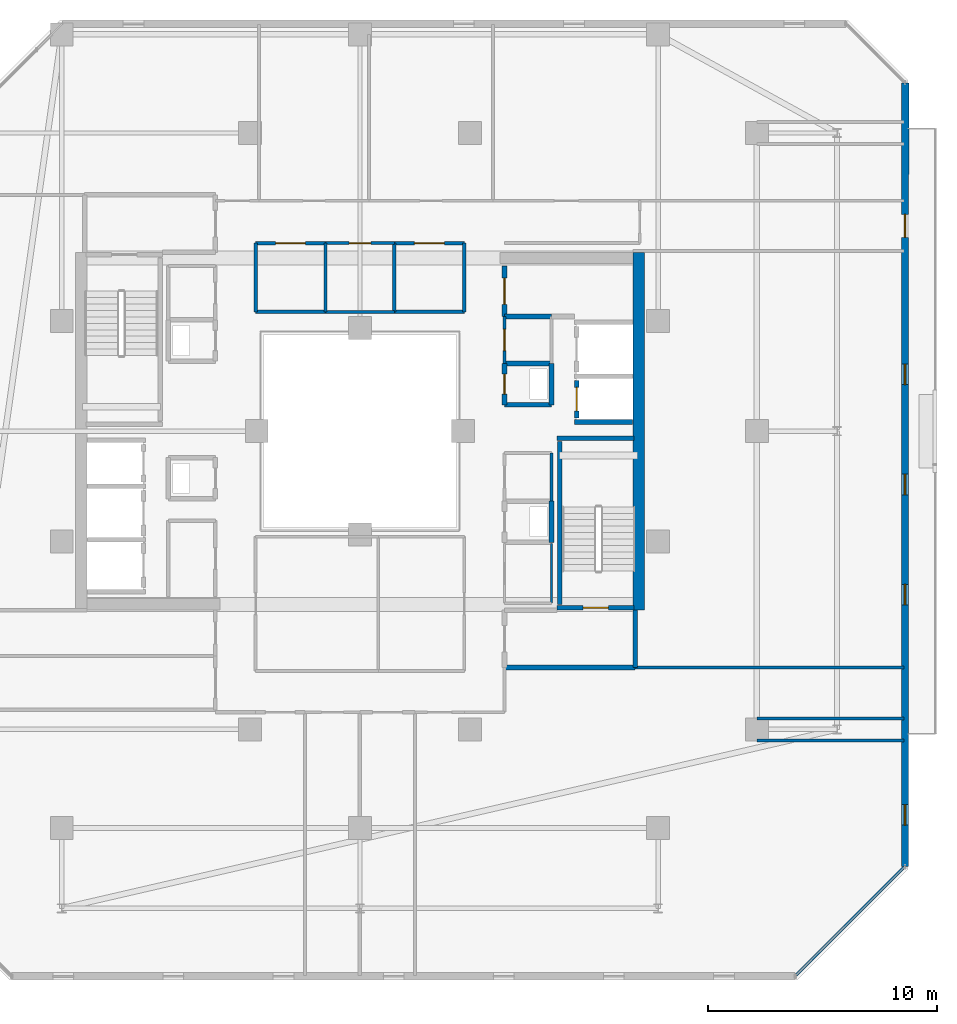
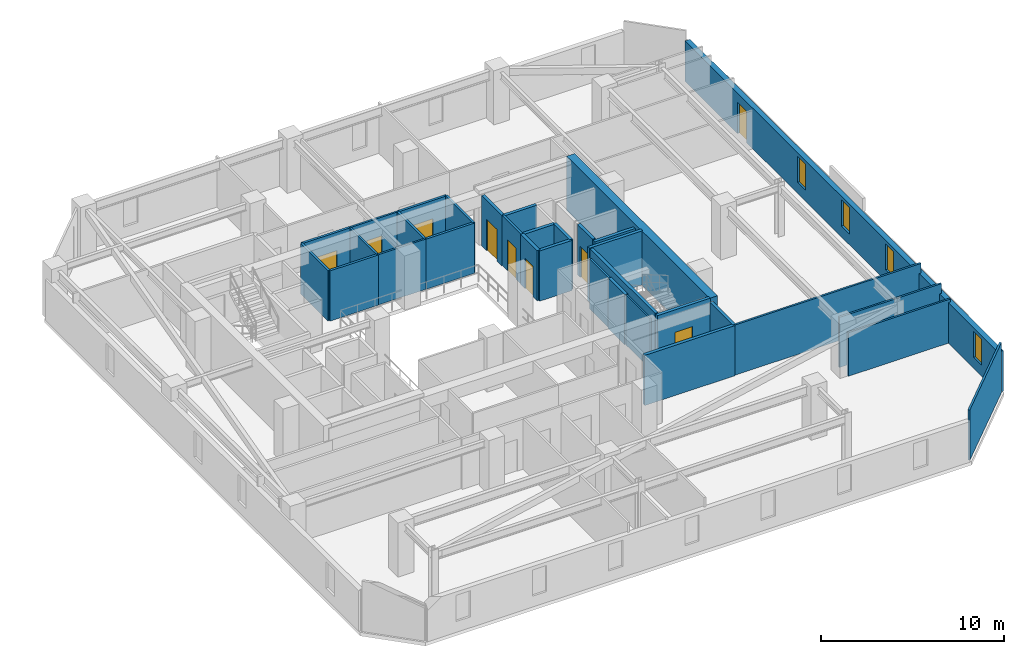
# One storey, part 24 of 32: 33 walls, 9 doors, 4 windows, 13 openings.
"""IFC4 building model written with IfcOpenShell, lengths in metres."""

from ifc_helpers import new_model, si_unit, direction, frame, frame_2d, origin, place, context, subcontext, project, spatial, rectangle, extrude, material, layer, layer_set, type_object, element, fill, save


model = new_model("IFC4")

# Units and contexts
model_context = context("Model", 3, precision=1e-05, world=origin(), true_north=direction((0.0, 1.0)))
body_context = subcontext(model_context, "Body", "Model", "MODEL_VIEW")
ifc_project = project(units=[si_unit("LENGTHUNIT", "METRE"), si_unit("AREAUNIT", "SQUARE_METRE"), si_unit("VOLUMEUNIT", "CUBIC_METRE"), si_unit("PLANEANGLEUNIT", "RADIAN"), si_unit("MASSUNIT", "GRAM", prefix="KILO")], contexts=[model_context])

# Site, building, storey
site_placement = place(None, origin())
site = spatial("IfcSite", under=ifc_project, at=site_placement, CompositionType="ELEMENT")
building_placement = place(site_placement, origin())
building = spatial("IfcBuilding", under=site, at=building_placement, Name="Thornwick Lancets Civic Towers", CompositionType="ELEMENT")
storey_placement = place(building_placement, frame((0.0, 0.0, 247.5)))
storey = spatial("IfcBuildingStorey", under=building, at=storey_placement, Name="L66", CompositionType="ELEMENT", Elevation=247.5)

# Wall, opening, door
ifc_material_1 = material(Name="Concrete blockwork C40/50", Category="masonry")
ifc_layer_1 = layer(ifc_material_1, 0.199951171875, Name="Concrete blockwork C40/50")
ifc_layer_set_1 = layer_set([ifc_layer_1], Name="Concrete blockwork C40/50")
wall_type_1 = type_object("IfcWallType", Name="WALL_COMP_200", PredefinedType="STANDARD", material=ifc_layer_set_1)
wall_1_placement = place(storey_placement, frame((97.949951171875, 29.219970703125, 0.0), z_axis=(0.0, 0.0, 1.0), x_axis=(0.0, -1.0, 0.0)))
wall_1 = element("IfcWall", 1, at=wall_1_placement, inside=storey, type_object=wall_type_1, Name="L66 Hoistway Front Wall FL-B1", PredefinedType="STANDARD", context=body_context, shape_type="SweptSolid", body=[
    extrude(rectangle(XDim=1.639892578125, YDim=0.199951171875, at=frame_2d((0.81982421875, 0.0))), origin(), (0.0, 0.0, 1.0), 3.340087890625),
])
opening_1_placement = place(wall_1_placement, frame((0.31005859375, 0.0, 0.0)))
opening_1 = element("IfcOpeningElement", 2, at=opening_1_placement, cuts=wall_1, Name="Opening LD-FL-B1", PredefinedType="OPENING", context=body_context, shape_type="SweptSolid", body=[
    extrude(rectangle(XDim=1.02001953125, YDim=2.06005859375, at=frame_2d((0.510009765625, 1.030029296875))), frame((0.0, 0.10986328125, 0.0), z_axis=(0.0, -1.0, 0.0), x_axis=(1.0, 0.0, 0.0)), (0.0, 0.0, 1.0), 0.219970703125),
])
ifc_material_2 = material(Name="Brushed bronze stainless steel", Category="steel")
door_type_1 = type_object("IfcDoorType", Name="DOOR_LIFT_SLIDE", OperationType="SLIDING_TO_LEFT", PredefinedType="DOOR", material=ifc_material_2)
door_1_placement = place(opening_1_placement, origin())
door_1 = element("IfcDoor", 3, at=door_1_placement, inside=storey, type_object=door_type_1, Name="L66 Sliding Lift Landing Door LD-FL-B1", OperationType="SLIDING_TO_LEFT", OverallHeight=2.06005859375, OverallWidth=1.02001953125, PredefinedType="DOOR", context=body_context, shape_type="SweptSolid", body=[
    extrude(rectangle(XDim=1.02001953125, YDim=2.06005859375, at=frame_2d((0.510009765625, 1.030029296875))), frame((0.0, 0.02490234375, 0.0), z_axis=(0.0, -1.0, 0.0), x_axis=(1.0, 0.0, 0.0)), (0.0, 0.0, 1.0), 0.050048828125),
])
fill(opening_1, door_1)

# Walls
wall_2_placement = place(storey_placement, frame((97.85205078125, 27.39990234375, 0.0), z_axis=(0.0, 0.0, 1.0), x_axis=(1.0, 0.0, 0.0)))
element("IfcWall", 4, at=wall_2_placement, inside=storey, type_object=wall_type_1, Name="L66 Hoistway Shaft Wall FL-B1 S", PredefinedType="STANDARD", context=body_context, shape_type="SweptSolid", body=[
    extrude(rectangle(XDim=2.535888671875, YDim=0.199951171875, at=frame_2d((1.26806640625, 0.0))), origin(), (0.0, 0.0, 1.0), 3.340087890625),
])
wall_3_placement = place(storey_placement, frame((94.800048828125, 16.699951171875, 0.0), z_axis=(0.0, 0.0, 1.0), x_axis=(1.0, 0.0, 0.0)))
element("IfcWall", 5, at=wall_3_placement, inside=storey, type_object=wall_type_1, Name="L66 Partition L66-B-FFLOB1 E1", PredefinedType="STANDARD", context=body_context, shape_type="SweptSolid", body=[
    extrude(rectangle(XDim=5.699951171875, YDim=0.199951171875, at=frame_2d((2.85009765625, 0.0))), origin(), (0.0, 0.0, 1.0), 3.340087890625),
])
wall_4_placement = place(storey_placement, frame((100.5, 16.699951171875, 0.0), z_axis=(0.0, 0.0, 1.0), x_axis=(0.0, 1.0, 0.0)))
element("IfcWall", 6, at=wall_4_placement, inside=storey, type_object=wall_type_1, Name="L66 Partition L66-B-FFLOB1 E2", PredefinedType="STANDARD", context=body_context, shape_type="SweptSolid", body=[
    extrude(rectangle(XDim=2.5, YDim=0.199951171875, at=frame_2d((1.25, 0.0))), origin(), (0.0, 0.0, 1.0), 3.340087890625),
])
wall_5_placement = place(storey_placement, frame((94.800048828125, 28.14990234375, 0.0), z_axis=(0.0, 0.0, 1.0), x_axis=(1.0, 0.0, 0.0)))
element("IfcWall", 7, at=wall_5_placement, inside=storey, type_object=wall_type_1, Name="L66 Partition L66-B-DUCT1 E1", PredefinedType="STANDARD", context=body_context, shape_type="SweptSolid", body=[
    extrude(rectangle(XDim=2.050048828125, YDim=0.199951171875, at=frame_2d((1.02490234375, 0.0))), origin(), (0.0, 0.0, 1.0), 3.340087890625),
])
wall_6_placement = place(storey_placement, frame((96.85009765625, 28.14990234375, 0.0), z_axis=(0.0, 0.0, 1.0), x_axis=(0.0, 1.0, 0.0)))
element("IfcWall", 8, at=wall_6_placement, inside=storey, type_object=wall_type_1, Name="L66 Partition L66-B-DUCT1 E2", PredefinedType="STANDARD", context=body_context, shape_type="SweptSolid", body=[
    extrude(rectangle(XDim=1.800048828125, YDim=0.199951171875, at=frame_2d((0.89990234375, 0.0))), origin(), (0.0, 0.0, 1.0), 3.340087890625),
])
wall_7_placement = place(storey_placement, frame((96.85009765625, 29.949951171875, 0.0), z_axis=(0.0, 0.0, 1.0), x_axis=(-1.0, 0.0, 0.0)))
element("IfcWall", 9, at=wall_7_placement, inside=storey, type_object=wall_type_1, Name="L66 Partition L66-B-DUCT1 E3", PredefinedType="STANDARD", context=body_context, shape_type="SweptSolid", body=[
    extrude(rectangle(XDim=2.050048828125, YDim=0.199951171875, at=frame_2d((1.02490234375, 0.0))), origin(), (0.0, 0.0, 1.0), 3.340087890625),
])

# Wall, opening, door
wall_8_placement = place(storey_placement, frame((94.800048828125, 29.949951171875, 0.0), z_axis=(0.0, 0.0, 1.0), x_axis=(0.0, -1.0, 0.0)))
wall_8 = element("IfcWall", 10, at=wall_8_placement, inside=storey, type_object=wall_type_1, Name="L66 Partition L66-B-DUCT1 E4", PredefinedType="STANDARD", context=body_context, shape_type="SweptSolid", body=[
    extrude(rectangle(XDim=1.800048828125, YDim=0.199951171875, at=frame_2d((0.89990234375, 0.0))), origin(), (0.0, 0.0, 1.0), 3.340087890625),
])
opening_2_placement = place(wall_8_placement, frame((0.4599609375, 0.0, 0.0)))
opening_2 = element("IfcOpeningElement", 11, at=opening_2_placement, cuts=wall_8, Name="Opening D-L66-2987", PredefinedType="OPENING", context=body_context, shape_type="SweptSolid", body=[
    extrude(rectangle(XDim=0.8798828125, YDim=2.0400390625, at=frame_2d((0.43994140625, 1.02001953125))), frame((0.0, 0.10986328125, 0.0), z_axis=(0.0, -1.0, 0.0), x_axis=(1.0, 0.0, 0.0)), (0.0, 0.0, 1.0), 0.219970703125),
])
ifc_material_3 = material(Name="Steel riser access doorset", Category="steel")
door_type_2 = type_object("IfcDoorType", Name="DOOR_RISER_850", OperationType="NOTDEFINED", PredefinedType="DOOR", material=ifc_material_3)
door_2_placement = place(opening_2_placement, origin())
door_2 = element("IfcDoor", 12, at=door_2_placement, inside=storey, type_object=door_type_2, Name="L66 East Service Duct 1 Door", OperationType="SINGLE_SWING_RIGHT", OverallHeight=2.0400390625, OverallWidth=0.8798828125, PredefinedType="DOOR", context=body_context, shape_type="SweptSolid", body=[
    extrude(rectangle(XDim=0.8798828125, YDim=2.0400390625, at=frame_2d((0.43994140625, 1.02001953125))), frame((0.0, 0.02490234375, 0.0), z_axis=(0.0, -1.0, 0.0), x_axis=(1.0, 0.0, 0.0)), (0.0, 0.0, 1.0), 0.050048828125),
])
fill(opening_2, door_2)

# Wall
wall_9_placement = place(storey_placement, frame((96.85009765625, 22.14990234375, 0.0), z_axis=(0.0, 0.0, 1.0), x_axis=(0.0, 1.0, 0.0)))
element("IfcWall", 13, at=wall_9_placement, inside=storey, type_object=wall_type_1, Name="L66 Partition L66-B-RISER1 E2", PredefinedType="STANDARD", context=body_context, shape_type="SweptSolid", body=[
    extrude(rectangle(XDim=1.800048828125, YDim=0.199951171875, at=frame_2d((0.89990234375, 0.0))), origin(), (0.0, 0.0, 1.0), 3.340087890625),
])

# Wall, opening, door
wall_10_placement = place(storey_placement, frame((94.800048828125, 32.0, 0.0), z_axis=(0.0, 0.0, 1.0), x_axis=(0.0, 1.0, 0.0)))
wall_10 = element("IfcWall", 14, at=wall_10_placement, inside=storey, type_object=wall_type_1, Name="L66 Partition L66-B-STR2 E1", PredefinedType="STANDARD", context=body_context, shape_type="SweptSolid", body=[
    extrude(rectangle(XDim=2.199951171875, YDim=0.199951171875, at=frame_2d((1.10009765625, 0.0))), origin(), (0.0, 0.0, 1.0), 3.340087890625),
])
opening_3_placement = place(wall_10_placement, frame((0.52490234375, 0.0, 0.0)))
opening_3 = element("IfcOpeningElement", 15, at=opening_3_placement, cuts=wall_10, Name="Opening D-L66-2994", PredefinedType="OPENING", context=body_context, shape_type="SweptSolid", body=[
    extrude(rectangle(XDim=1.14990234375, YDim=2.10009765625, at=frame_2d((0.574951171875, 1.050048828125))), frame((0.0, 0.10986328125, 0.0), z_axis=(0.0, -1.0, 0.0), x_axis=(1.0, 0.0, 0.0)), (0.0, 0.0, 1.0), 0.219970703125),
])
ifc_material_4 = material(Name="Glazed fire-resisting steel", Category="steel")
door_type_3 = type_object("IfcDoorType", Name="DOOR_LOBBY_FD60", OperationType="NOTDEFINED", PredefinedType="DOOR", material=ifc_material_4)
door_3_placement = place(opening_3_placement, origin())
door_3 = element("IfcDoor", 16, at=door_3_placement, inside=storey, type_object=door_type_3, Name="L66 Tower B Core Supplies Store Door", OperationType="SINGLE_SWING_LEFT", OverallHeight=2.10009765625, OverallWidth=1.14990234375, PredefinedType="DOOR", context=body_context, shape_type="SweptSolid", body=[
    extrude(rectangle(XDim=1.14990234375, YDim=2.10009765625, at=frame_2d((0.574951171875, 1.050048828125))), frame((0.0, 0.02490234375, 0.0), z_axis=(0.0, -1.0, 0.0), x_axis=(1.0, 0.0, 0.0)), (0.0, 0.0, 1.0), 0.050048828125),
])
fill(opening_3, door_3)

# Walls
wall_11_placement = place(storey_placement, frame((96.85009765625, 32.0, 0.0), z_axis=(0.0, 0.0, 1.0), x_axis=(-1.0, 0.0, 0.0)))
element("IfcWall", 17, at=wall_11_placement, inside=storey, type_object=wall_type_1, Name="L66 Partition L66-B-STR2 E5", PredefinedType="STANDARD", context=body_context, shape_type="SweptSolid", body=[
    extrude(rectangle(XDim=2.050048828125, YDim=0.199951171875, at=frame_2d((1.02490234375, 0.0))), origin(), (0.0, 0.0, 1.0), 3.340087890625),
])
ifc_material_5 = material(Name="Concrete C50/60", Category="concrete")
ifc_layer_2 = layer(ifc_material_5, 0.5, Name="Concrete C50/60")
ifc_layer_set_2 = layer_set([ifc_layer_2], Name="Concrete C50/60")
wall_type_2 = type_object("IfcWallType", Name="WALL_CORE_500", PredefinedType="SHEAR", material=ifc_layer_set_2)
wall_12_placement = place(storey_placement, frame((100.64990234375, 19.199951171875, 0.0), z_axis=(0.0, 0.0, 1.0), x_axis=(0.0, 1.0, 0.0)))
element("IfcWall", 18, at=wall_12_placement, inside=storey, type_object=wall_type_2, Name="L66 Split Core B1 Shear Wall E", PredefinedType="SHEAR", context=body_context, shape_type="SweptSolid", body=[
    extrude(rectangle(XDim=15.60009765625, YDim=0.5, at=frame_2d((7.800048828125, 0.0))), origin(), (0.0, 0.0, 1.0), 3.60009765625),
])

# Wall, openings, door, windows
ifc_material_6 = material(Name="Insulated buff terracotta rainscreen on concrete C40/50", Category="masonry")
ifc_layer_3 = layer(ifc_material_6, 0.320068359375, Name="Insulated buff terracotta rainscreen on concrete C40/50")
ifc_layer_set_3 = layer_set([ifc_layer_3], Name="Insulated buff terracotta rainscreen on concrete C40/50")
wall_type_3 = type_object("IfcWallType", Name="WALL_EXT_TERRA_320", PredefinedType="STANDARD", material=ifc_layer_set_3)
wall_13_placement = place(storey_placement, frame((112.25732421875, 8.02490234375, 0.0), z_axis=(0.0, 0.0, 1.0), x_axis=(0.000214431216, 0.99999997701, 0.0)))
wall_13 = element("IfcWall", 19, at=wall_13_placement, inside=storey, type_object=wall_type_3, Name="L66 Tower B Terracotta Facade Wall E2", PredefinedType="STANDARD", context=body_context, shape_type="SweptSolid", body=[
    extrude(rectangle(XDim=34.156494140625, YDim=0.320068359375, at=frame_2d((17.078125, 0.0))), origin(), (0.0, 0.0, 1.0), 2.699951171875),
])
opening_4_placement = place(wall_13_placement, frame((27.42822265625, 0.0, 0.0)))
opening_4 = element("IfcOpeningElement", 20, at=opening_4_placement, cuts=wall_13, Name="Opening D-BL-L66-BE", PredefinedType="OPENING", context=body_context, shape_type="SweptSolid", body=[
    extrude(rectangle(XDim=1.0, YDim=2.080078125, at=frame_2d((0.5, 1.0400390625))), frame((0.0, 0.169921875, 0.0), z_axis=(0.0, -1.0, 0.0), x_axis=(1.0, 0.0, 0.0)), (0.0, 0.0, 1.0), 0.340087890625),
])
opening_5_placement = place(wall_13_placement, frame((1.800048828125, 0.0, 0.719970703125)))
opening_5 = element("IfcOpeningElement", 21, at=opening_5_placement, cuts=wall_13, Name="Opening WL-01", PredefinedType="OPENING", context=body_context, shape_type="SweptSolid", body=[
    extrude(rectangle(XDim=0.89990234375, YDim=1.75, at=frame_2d((0.449951171875, 0.875))), frame((0.0, 0.169921875, 0.0), z_axis=(0.0, -1.0, 0.0), x_axis=(1.0, 0.0, 0.0)), (0.0, 0.0, 1.0), 0.340087890625),
])
opening_6_placement = place(wall_13_placement, frame((11.39990234375, 0.0, 0.719970703125)))
opening_6 = element("IfcOpeningElement", 22, at=opening_6_placement, cuts=wall_13, Name="Opening WL-01", PredefinedType="OPENING", context=body_context, shape_type="SweptSolid", body=[
    extrude(rectangle(XDim=0.89990234375, YDim=1.75, at=frame_2d((0.449951171875, 0.875))), frame((0.0, 0.169921875, 0.0), z_axis=(0.0, -1.0, 0.0), x_axis=(1.0, 0.0, 0.0)), (0.0, 0.0, 1.0), 0.340087890625),
])
opening_7_placement = place(wall_13_placement, frame((16.199951171875, 0.0, 0.719970703125)))
opening_7 = element("IfcOpeningElement", 23, at=opening_7_placement, cuts=wall_13, Name="Opening WL-01", PredefinedType="OPENING", context=body_context, shape_type="SweptSolid", body=[
    extrude(rectangle(XDim=0.89990234375, YDim=1.75, at=frame_2d((0.449951171875, 0.875))), frame((0.0, 0.169921875, 0.0), z_axis=(0.0, -1.0, 0.0), x_axis=(1.0, 0.0, 0.0)), (0.0, 0.0, 1.0), 0.340087890625),
])
opening_8_placement = place(wall_13_placement, frame((21.0, 0.0, 0.719970703125)))
opening_8 = element("IfcOpeningElement", 24, at=opening_8_placement, cuts=wall_13, Name="Opening WL-01", PredefinedType="OPENING", context=body_context, shape_type="SweptSolid", body=[
    extrude(rectangle(XDim=0.89990234375, YDim=1.75, at=frame_2d((0.449951171875, 0.875))), frame((0.0, 0.169921875, 0.0), z_axis=(0.0, -1.0, 0.0), x_axis=(1.0, 0.0, 0.0)), (0.0, 0.0, 1.0), 0.340087890625),
])
ifc_material_7 = material(Name="Thermally broken glazed loggia doorset")
door_type_4 = type_object("IfcDoorType", Name="DOOR_BALC_1000", OperationType="NOTDEFINED", PredefinedType="DOOR", material=ifc_material_7)
door_4_placement = place(opening_4_placement, origin())
door_4 = element("IfcDoor", 25, at=door_4_placement, inside=storey, type_object=door_type_4, Name="L66 Tower B Loggia Balcony Door E", OperationType="SINGLE_SWING_LEFT", OverallHeight=2.080078125, OverallWidth=1.0, PredefinedType="DOOR", context=body_context, shape_type="SweptSolid", body=[
    extrude(rectangle(XDim=1.0, YDim=2.080078125, at=frame_2d((0.5, 1.0400390625))), frame((0.0, 0.02490234375, 0.0), z_axis=(0.0, -1.0, 0.0), x_axis=(1.0, 0.0, 0.0)), (0.0, 0.0, 1.0), 0.050048828125),
])
fill(opening_4, door_4)
ifc_material_8 = material(Name="Clear low-e double glazing in bronze frame", Category="glass")
window_type = type_object("IfcWindowType", Name="WIN_LANCET_900", PartitioningType="SINGLE_PANEL", PredefinedType="WINDOW", material=ifc_material_8)
window_1_placement = place(opening_5_placement, origin())
window_1 = element("IfcWindow", 26, at=window_1_placement, inside=storey, type_object=window_type, Name="L66 Tower B Staggered Lancet Window E2-1", OverallHeight=1.75, OverallWidth=0.89990234375, PartitioningType="SINGLE_PANEL", PredefinedType="WINDOW", context=body_context, shape_type="SweptSolid", body=[
    extrude(rectangle(XDim=0.89990234375, YDim=1.75, at=frame_2d((0.449951171875, 0.875))), frame((0.0, 0.030029296875, 0.0), z_axis=(0.0, -1.0, 0.0), x_axis=(1.0, 0.0, 0.0)), (0.0, 0.0, 1.0), 0.06005859375),
])
fill(opening_5, window_1)
window_2_placement = place(opening_6_placement, origin())
window_2 = element("IfcWindow", 27, at=window_2_placement, inside=storey, type_object=window_type, Name="L66 Tower B Staggered Lancet Window E2-2", OverallHeight=1.75, OverallWidth=0.89990234375, PartitioningType="SINGLE_PANEL", PredefinedType="WINDOW", context=body_context, shape_type="SweptSolid", body=[
    extrude(rectangle(XDim=0.89990234375, YDim=1.75, at=frame_2d((0.449951171875, 0.875))), frame((0.0, 0.030029296875, 0.0), z_axis=(0.0, -1.0, 0.0), x_axis=(1.0, 0.0, 0.0)), (0.0, 0.0, 1.0), 0.06005859375),
])
fill(opening_6, window_2)
window_3_placement = place(opening_7_placement, origin())
window_3 = element("IfcWindow", 28, at=window_3_placement, inside=storey, type_object=window_type, Name="L66 Tower B Staggered Lancet Window E2-3", OverallHeight=1.75, OverallWidth=0.89990234375, PartitioningType="SINGLE_PANEL", PredefinedType="WINDOW", context=body_context, shape_type="SweptSolid", body=[
    extrude(rectangle(XDim=0.89990234375, YDim=1.75, at=frame_2d((0.449951171875, 0.875))), frame((0.0, 0.030029296875, 0.0), z_axis=(0.0, -1.0, 0.0), x_axis=(1.0, 0.0, 0.0)), (0.0, 0.0, 1.0), 0.06005859375),
])
fill(opening_7, window_3)
window_4_placement = place(opening_8_placement, origin())
window_4 = element("IfcWindow", 29, at=window_4_placement, inside=storey, type_object=window_type, Name="L66 Tower B Staggered Lancet Window E2-4", OverallHeight=1.75, OverallWidth=0.89990234375, PartitioningType="SINGLE_PANEL", PredefinedType="WINDOW", context=body_context, shape_type="SweptSolid", body=[
    extrude(rectangle(XDim=0.89990234375, YDim=1.75, at=frame_2d((0.449951171875, 0.875))), frame((0.0, 0.030029296875, 0.0), z_axis=(0.0, -1.0, 0.0), x_axis=(1.0, 0.0, 0.0)), (0.0, 0.0, 1.0), 0.06005859375),
])
fill(opening_8, window_4)

# Walls
ifc_material_9 = material(Name="Lightweight cellular office partition")
ifc_layer_4 = layer(ifc_material_9, 0.10009765625, Name="Lightweight cellular office partition")
ifc_layer_set_4 = layer_set([ifc_layer_4], Name="Lightweight cellular office partition")
wall_type_4 = type_object("IfcWallType", Name="WALL_PART_100", PredefinedType="PARTITIONING", material=ifc_layer_set_4)
wall_14_placement = place(storey_placement, frame((96.85009765625, 19.5, 0.0), z_axis=(0.0, 0.0, 1.0), x_axis=(0.0, 1.0, 0.0)))
element("IfcWall", 30, at=wall_14_placement, inside=storey, type_object=wall_type_4, Name="L66 Partition L66-B-CLN E2", PredefinedType="PARTITIONING", context=body_context, shape_type="SweptSolid", body=[
    extrude(rectangle(XDim=2.60009765625, YDim=0.10009765625, at=frame_2d((1.300048828125, 0.0))), origin(), (0.0, 0.0, 1.0), 3.340087890625),
])
ifc_material_10 = material(Name="Acoustic gypsum board partition")
ifc_layer_5 = layer(ifc_material_10, 0.1201171875, Name="Acoustic gypsum board partition")
ifc_layer_set_5 = layer_set([ifc_layer_5], Name="Acoustic gypsum board partition")
wall_type_5 = type_object("IfcWallType", Name="WALL_PART_120", PredefinedType="PARTITIONING", material=ifc_layer_set_5)
wall_15_placement = place(storey_placement, frame((96.85009765625, 26.050048828125, 0.0), z_axis=(0.0, 0.0, 1.0), x_axis=(0.0, -1.0, 0.0)))
element("IfcWall", 31, at=wall_15_placement, inside=storey, type_object=wall_type_5, Name="L66 Partition L66-B-ITR E3", PredefinedType="PARTITIONING", context=body_context, shape_type="SweptSolid", body=[
    extrude(rectangle(XDim=2.10009765625, YDim=0.1201171875, at=frame_2d((1.050048828125, 0.0))), origin(), (0.0, 0.0, 1.0), 3.340087890625),
])
wall_16_placement = place(storey_placement, frame((100.5, 16.699951171875, 0.0), z_axis=(0.0, 0.0, 1.0), x_axis=(1.0, 0.0, 0.0)))
element("IfcWall", 32, at=wall_16_placement, inside=storey, type_object=wall_type_5, Name="L66 Partition L66-B-W1 E7", PredefinedType="PARTITIONING", context=body_context, shape_type="SweptSolid", body=[
    extrude(rectangle(XDim=11.719970703125, YDim=0.1201171875, at=frame_2d((5.85986328125, 0.0))), origin(), (0.0, 0.0, 1.0), 3.340087890625),
])
wall_17_placement = place(storey_placement, frame((112.219970703125, 14.47998046875, 0.0), z_axis=(0.0, 0.0, 1.0), x_axis=(-1.0, 0.0, 0.0)))
element("IfcWall", 33, at=wall_17_placement, inside=storey, type_object=wall_type_5, Name="L66 Partition L66-B-W1 E9", PredefinedType="PARTITIONING", context=body_context, shape_type="SweptSolid", body=[
    extrude(rectangle(XDim=6.419921875, YDim=0.1201171875, at=frame_2d((3.2099609375, 0.0))), origin(), (0.0, 0.0, 1.0), 3.340087890625),
])
wall_18_placement = place(storey_placement, frame((105.800048828125, 13.52001953125, 0.0), z_axis=(0.0, 0.0, 1.0), x_axis=(1.0, 0.0, 0.0)))
element("IfcWall", 34, at=wall_18_placement, inside=storey, type_object=wall_type_5, Name="L66 Partition L66-B-W1 E11", PredefinedType="PARTITIONING", context=body_context, shape_type="SweptSolid", body=[
    extrude(rectangle(XDim=6.419921875, YDim=0.1201171875, at=frame_2d((3.2099609375, 0.0))), origin(), (0.0, 0.0, 1.0), 2.89501953125),
])
wall_19_placement = place(storey_placement, frame((112.219970703125, 7.989501953125, 0.0), z_axis=(0.0, 0.0, 1.0), x_axis=(-0.707106781187, -0.707106781187, 0.0)))
element("IfcWall", 35, at=wall_19_placement, inside=storey, type_object=wall_type_5, Name="L66 Partition L66-B-W1 E13", PredefinedType="PARTITIONING", context=body_context, shape_type="SweptSolid", body=[
    extrude(rectangle(XDim=6.66015625, YDim=0.1201171875, at=frame_2d((3.330078125, 0.0))), origin(), (0.0, 0.0, 1.0), 3.340087890625),
])
wall_20_placement = place(storey_placement, frame((87.0, 32.199951171875, 0.0), z_axis=(0.0, 0.0, 1.0), x_axis=(0.0, 1.0, 0.0)))
element("IfcWall", 36, at=wall_20_placement, inside=storey, type_object=wall_type_5, Name="L66 Partition L66-B-E-ATR-2 E1", PredefinedType="PARTITIONING", context=body_context, shape_type="SweptSolid", body=[
    extrude(rectangle(XDim=3.0, YDim=0.1201171875, at=frame_2d((1.5, 0.0))), origin(), (0.0, 0.0, 1.0), 3.340087890625),
])

# Wall, opening, door
wall_21_placement = place(storey_placement, frame((87.0, 35.199951171875, 0.0), z_axis=(0.0, 0.0, 1.0), x_axis=(1.0, 0.0, 0.0)))
wall_21 = element("IfcWall", 37, at=wall_21_placement, inside=storey, type_object=wall_type_5, Name="L66 Partition L66-B-E-ATR-2 E2", PredefinedType="PARTITIONING", context=body_context, shape_type="SweptSolid", body=[
    extrude(rectangle(XDim=3.0, YDim=0.1201171875, at=frame_2d((1.5, 0.0))), origin(), (0.0, 0.0, 1.0), 3.340087890625),
])
opening_9_placement = place(wall_21_placement, frame((1.02490234375, 0.0, 0.0)))
opening_9 = element("IfcOpeningElement", 38, at=opening_9_placement, cuts=wall_21, Name="Opening D-L66-3027", PredefinedType="OPENING", context=body_context, shape_type="SweptSolid", body=[
    extrude(rectangle(XDim=0.949951171875, YDim=2.10009765625, at=frame_2d((0.47509765625, 1.050048828125))), frame((0.0, 0.070068359375, 0.0), z_axis=(0.0, -1.0, 0.0), x_axis=(1.0, 0.0, 0.0)), (0.0, 0.0, 1.0), 0.14013671875),
])
ifc_material_11 = material(Name="European oak acoustic doorset")
door_type_5 = type_object("IfcDoorType", Name="DOOR_OFFICE_950", OperationType="NOTDEFINED", PredefinedType="DOOR", material=ifc_material_11)
door_5_placement = place(opening_9_placement, origin())
door_5 = element("IfcDoor", 39, at=door_5_placement, inside=storey, type_object=door_type_5, Name="L66 Tower B Atrium Research Suite Door", OperationType="SINGLE_SWING_RIGHT", OverallHeight=2.10009765625, OverallWidth=0.949951171875, PredefinedType="DOOR", context=body_context, shape_type="SweptSolid", body=[
    extrude(rectangle(XDim=0.949951171875, YDim=2.10009765625, at=frame_2d((0.47509765625, 1.050048828125))), frame((0.0, 0.02490234375, 0.0), z_axis=(0.0, -1.0, 0.0), x_axis=(1.0, 0.0, 0.0)), (0.0, 0.0, 1.0), 0.050048828125),
])
fill(opening_9, door_5)

# Wall
wall_22_placement = place(storey_placement, frame((90.0, 32.199951171875, 0.0), z_axis=(0.0, 0.0, 1.0), x_axis=(-1.0, 0.0, 0.0)))
element("IfcWall", 40, at=wall_22_placement, inside=storey, type_object=wall_type_5, Name="L66 Partition L66-B-E-ATR-2 E4", PredefinedType="PARTITIONING", context=body_context, shape_type="SweptSolid", body=[
    extrude(rectangle(XDim=3.0, YDim=0.1201171875, at=frame_2d((1.5, 0.0))), origin(), (0.0, 0.0, 1.0), 3.340087890625),
])

# Wall, opening, door
ifc_material_12 = material(Name="Twin-stud acoustic gypsum board")
ifc_layer_6 = layer(ifc_material_12, 0.14990234375, Name="Twin-stud acoustic gypsum board")
ifc_layer_set_6 = layer_set([ifc_layer_6], Name="Twin-stud acoustic gypsum board")
wall_type_6 = type_object("IfcWallType", Name="WALL_PART_150", PredefinedType="PARTITIONING", material=ifc_layer_set_6)
wall_23_placement = place(storey_placement, frame((94.800048828125, 29.949951171875, 0.0), z_axis=(0.0, 0.0, 1.0), x_axis=(0.0, 1.0, 0.0)))
wall_23 = element("IfcWall", 41, at=wall_23_placement, inside=storey, type_object=wall_type_6, Name="L66 Partition L66-B-AWC E1", PredefinedType="PARTITIONING", context=body_context, shape_type="SweptSolid", body=[
    extrude(rectangle(XDim=2.050048828125, YDim=0.14990234375, at=frame_2d((1.02490234375, 0.0))), origin(), (0.0, 0.0, 1.0), 3.340087890625),
])
opening_10_placement = place(wall_23_placement, frame((0.56494140625, 0.0, 0.0)))
opening_10 = element("IfcOpeningElement", 42, at=opening_10_placement, cuts=wall_23, Name="Opening D-L66-2993", PredefinedType="OPENING", context=body_context, shape_type="SweptSolid", body=[
    extrude(rectangle(XDim=0.919921875, YDim=2.080078125, at=frame_2d((0.4599609375, 1.0400390625))), frame((0.0, 0.0849609375, 0.0), z_axis=(0.0, -1.0, 0.0), x_axis=(1.0, 0.0, 0.0)), (0.0, 0.0, 1.0), 0.169921875),
])
ifc_material_13 = material(Name="Moisture-resistant oak doorset")
door_type_6 = type_object("IfcDoorType", Name="DOOR_WC_900", OperationType="NOTDEFINED", PredefinedType="DOOR", material=ifc_material_13)
door_6_placement = place(opening_10_placement, origin())
door_6 = element("IfcDoor", 43, at=door_6_placement, inside=storey, type_object=door_type_6, Name="L66 Tower B Accessible WC Door", OperationType="SINGLE_SWING_RIGHT", OverallHeight=2.080078125, OverallWidth=0.919921875, PredefinedType="DOOR", context=body_context, shape_type="SweptSolid", body=[
    extrude(rectangle(XDim=0.919921875, YDim=2.080078125, at=frame_2d((0.4599609375, 1.0400390625))), frame((0.0, 0.02490234375, 0.0), z_axis=(0.0, -1.0, 0.0), x_axis=(1.0, 0.0, 0.0)), (0.0, 0.0, 1.0), 0.050048828125),
])
fill(opening_10, door_6)

# Wall
wall_24_placement = place(storey_placement, frame((90.0, 32.199951171875, 0.0), z_axis=(0.0, 0.0, 1.0), x_axis=(0.0, 1.0, 0.0)))
element("IfcWall", 44, at=wall_24_placement, inside=storey, type_object=wall_type_6, Name="L66 Partition L66-B-E-ATR-1 E1", PredefinedType="PARTITIONING", context=body_context, shape_type="SweptSolid", body=[
    extrude(rectangle(XDim=3.0, YDim=0.14990234375, at=frame_2d((1.5, 0.0))), origin(), (0.0, 0.0, 1.0), 3.340087890625),
])

# Wall, opening, door
wall_25_placement = place(storey_placement, frame((90.0, 35.199951171875, 0.0), z_axis=(0.0, 0.0, 1.0), x_axis=(1.0, 0.0, 0.0)))
wall_25 = element("IfcWall", 45, at=wall_25_placement, inside=storey, type_object=wall_type_6, Name="L66 Partition L66-B-E-ATR-1 E2", PredefinedType="PARTITIONING", context=body_context, shape_type="SweptSolid", body=[
    extrude(rectangle(XDim=3.050048828125, YDim=0.14990234375, at=frame_2d((1.52490234375, 0.0))), origin(), (0.0, 0.0, 1.0), 3.340087890625),
])
opening_11_placement = place(wall_25_placement, frame((0.875, 0.0, 0.0)))
opening_11 = element("IfcOpeningElement", 46, at=opening_11_placement, cuts=wall_25, Name="Opening D-L66-3026", PredefinedType="OPENING", context=body_context, shape_type="SweptSolid", body=[
    extrude(rectangle(XDim=1.300048828125, YDim=2.1201171875, at=frame_2d((0.64990234375, 1.06005859375))), frame((0.0, 0.0849609375, 0.0), z_axis=(0.0, -1.0, 0.0), x_axis=(1.0, 0.0, 0.0)), (0.0, 0.0, 1.0), 0.169921875),
])
ifc_material_14 = material(Name="Acoustic oak leaf-and-a-half doorset")
door_type_7 = type_object("IfcDoorType", Name="DOOR_MEET_1300", OperationType="DOUBLE_DOOR_SINGLE_SWING", PredefinedType="DOOR", material=ifc_material_14)
door_7_placement = place(opening_11_placement, origin())
door_7 = element("IfcDoor", 47, at=door_7_placement, inside=storey, type_object=door_type_7, Name="L66 Tower B Atrium Briefing Room Door", OperationType="DOUBLE_DOOR_SINGLE_SWING", OverallHeight=2.1201171875, OverallWidth=1.300048828125, PredefinedType="DOOR", context=body_context, shape_type="SweptSolid", body=[
    extrude(rectangle(XDim=1.300048828125, YDim=2.1201171875, at=frame_2d((0.64990234375, 1.06005859375))), frame((0.0, 0.02490234375, 0.0), z_axis=(0.0, -1.0, 0.0), x_axis=(1.0, 0.0, 0.0)), (0.0, 0.0, 1.0), 0.050048828125),
])
fill(opening_11, door_7)

# Walls
wall_26_placement = place(storey_placement, frame((93.050048828125, 35.199951171875, 0.0), z_axis=(0.0, 0.0, 1.0), x_axis=(0.0, -1.0, 0.0)))
element("IfcWall", 48, at=wall_26_placement, inside=storey, type_object=wall_type_6, Name="L66 Partition L66-B-E-ATR-1 E3", PredefinedType="PARTITIONING", context=body_context, shape_type="SweptSolid", body=[
    extrude(rectangle(XDim=3.0, YDim=0.14990234375, at=frame_2d((1.5, 0.0))), origin(), (0.0, 0.0, 1.0), 3.340087890625),
])
wall_27_placement = place(storey_placement, frame((93.050048828125, 32.199951171875, 0.0), z_axis=(0.0, 0.0, 1.0), x_axis=(-1.0, 0.0, 0.0)))
element("IfcWall", 49, at=wall_27_placement, inside=storey, type_object=wall_type_6, Name="L66 Partition L66-B-E-ATR-1 E4", PredefinedType="PARTITIONING", context=body_context, shape_type="SweptSolid", body=[
    extrude(rectangle(XDim=3.050048828125, YDim=0.14990234375, at=frame_2d((1.52490234375, 0.0))), origin(), (0.0, 0.0, 1.0), 3.340087890625),
])
wall_28_placement = place(storey_placement, frame((83.949951171875, 32.199951171875, 0.0), z_axis=(0.0, 0.0, 1.0), x_axis=(0.0, 1.0, 0.0)))
element("IfcWall", 50, at=wall_28_placement, inside=storey, type_object=wall_type_6, Name="L66 Partition L66-B-E-ATR-3 E1", PredefinedType="PARTITIONING", context=body_context, shape_type="SweptSolid", body=[
    extrude(rectangle(XDim=3.0, YDim=0.14990234375, at=frame_2d((1.5, 0.0))), origin(), (0.0, 0.0, 1.0), 3.340087890625),
])

# Wall, opening, door
wall_29_placement = place(storey_placement, frame((83.949951171875, 35.199951171875, 0.0), z_axis=(0.0, 0.0, 1.0), x_axis=(1.0, 0.0, 0.0)))
wall_29 = element("IfcWall", 51, at=wall_29_placement, inside=storey, type_object=wall_type_6, Name="L66 Partition L66-B-E-ATR-3 E2", PredefinedType="PARTITIONING", context=body_context, shape_type="SweptSolid", body=[
    extrude(rectangle(XDim=3.050048828125, YDim=0.14990234375, at=frame_2d((1.52490234375, 0.0))), origin(), (0.0, 0.0, 1.0), 3.340087890625),
])
opening_12_placement = place(wall_29_placement, frame((0.875, 0.0, 0.0)))
opening_12 = element("IfcOpeningElement", 52, at=opening_12_placement, cuts=wall_29, Name="Opening D-L66-3028", PredefinedType="OPENING", context=body_context, shape_type="SweptSolid", body=[
    extrude(rectangle(XDim=1.300048828125, YDim=2.1201171875, at=frame_2d((0.64990234375, 1.06005859375))), frame((0.0, 0.0849609375, 0.0), z_axis=(0.0, -1.0, 0.0), x_axis=(1.0, 0.0, 0.0)), (0.0, 0.0, 1.0), 0.169921875),
])
door_8_placement = place(opening_12_placement, origin())
door_8 = element("IfcDoor", 53, at=door_8_placement, inside=storey, type_object=door_type_7, Name="L66 Tower B Atrium Consultation Chamber Door", OperationType="DOUBLE_DOOR_SINGLE_SWING", OverallHeight=2.1201171875, OverallWidth=1.300048828125, PredefinedType="DOOR", context=body_context, shape_type="SweptSolid", body=[
    extrude(rectangle(XDim=1.300048828125, YDim=2.1201171875, at=frame_2d((0.64990234375, 1.06005859375))), frame((0.0, 0.02490234375, 0.0), z_axis=(0.0, -1.0, 0.0), x_axis=(1.0, 0.0, 0.0)), (0.0, 0.0, 1.0), 0.050048828125),
])
fill(opening_12, door_8)

# Wall
wall_30_placement = place(storey_placement, frame((87.0, 32.199951171875, 0.0), z_axis=(0.0, 0.0, 1.0), x_axis=(-1.0, 0.0, 0.0)))
element("IfcWall", 54, at=wall_30_placement, inside=storey, type_object=wall_type_6, Name="L66 Partition L66-B-E-ATR-3 E4", PredefinedType="PARTITIONING", context=body_context, shape_type="SweptSolid", body=[
    extrude(rectangle(XDim=3.050048828125, YDim=0.14990234375, at=frame_2d((1.52490234375, 0.0))), origin(), (0.0, 0.0, 1.0), 3.340087890625),
])

# Wall, opening, door
ifc_material_15 = material(Name="Concrete C40/50", Category="concrete")
ifc_layer_7 = layer(ifc_material_15, 0.199951171875, Name="Concrete C40/50")
ifc_layer_set_7 = layer_set([ifc_layer_7], Name="Concrete C40/50")
wall_type_7 = type_object("IfcWallType", Name="WALL_SHAFT_200", PredefinedType="SHEAR", material=ifc_layer_set_7)
wall_31_placement = place(storey_placement, frame((100.449951171875, 19.300048828125, 0.0), z_axis=(0.0, 0.0, 1.0), x_axis=(-1.0, 0.0, 0.0)))
wall_31 = element("IfcWall", 55, at=wall_31_placement, inside=storey, type_object=wall_type_7, Name="L66 ST-B1 Fire Stair Core Wall NEAR", PredefinedType="SHEAR", context=body_context, shape_type="SweptSolid", body=[
    extrude(rectangle(XDim=3.349853515625, YDim=0.199951171875, at=frame_2d((1.6748046875, 0.0))), origin(), (0.0, 0.0, 1.0), 3.60009765625),
])
opening_13_placement = place(wall_31_placement, frame((1.125, 0.0, 0.0)))
opening_13 = element("IfcOpeningElement", 56, at=opening_13_placement, cuts=wall_31, Name="Opening D-ST-B1-L66", PredefinedType="OPENING", context=body_context, shape_type="SweptSolid", body=[
    extrude(rectangle(XDim=1.10009765625, YDim=2.10009765625, at=frame_2d((0.550048828125, 1.050048828125))), frame((0.0, 0.10986328125, 0.0), z_axis=(0.0, -1.0, 0.0), x_axis=(1.0, 0.0, 0.0)), (0.0, 0.0, 1.0), 0.219970703125),
])
ifc_material_16 = material(Name="Fire-resisting steel and hardwood", Category="steel")
door_type_8 = type_object("IfcDoorType", Name="DOOR_STAIR_FD60", OperationType="NOTDEFINED", PredefinedType="DOOR", material=ifc_material_16)
door_9_placement = place(opening_13_placement, origin())
door_9 = element("IfcDoor", 57, at=door_9_placement, inside=storey, type_object=door_type_8, Name="L66 ST-B1 Exit Stair Door", OperationType="SINGLE_SWING_RIGHT", OverallHeight=2.10009765625, OverallWidth=1.10009765625, PredefinedType="DOOR", context=body_context, shape_type="SweptSolid", body=[
    extrude(rectangle(XDim=1.10009765625, YDim=2.10009765625, at=frame_2d((0.550048828125, 1.050048828125))), frame((0.0, 0.02490234375, 0.0), z_axis=(0.0, -1.0, 0.0), x_axis=(1.0, 0.0, 0.0)), (0.0, 0.0, 1.0), 0.050048828125),
])
fill(opening_13, door_9)

# Walls
wall_32_placement = place(storey_placement, frame((97.10009765625, 26.699951171875, 0.0), z_axis=(0.0, 0.0, 1.0), x_axis=(1.0, 0.0, 0.0)))
element("IfcWall", 58, at=wall_32_placement, inside=storey, type_object=wall_type_7, Name="L66 ST-B1 Fire Stair Core Wall FAR", PredefinedType="SHEAR", context=body_context, shape_type="SweptSolid", body=[
    extrude(rectangle(XDim=3.349853515625, YDim=0.199951171875, at=frame_2d((1.6748046875, 0.0))), origin(), (0.0, 0.0, 1.0), 3.60009765625),
])
wall_33_placement = place(storey_placement, frame((97.202880859375, 26.550048828125, 0.0), z_axis=(0.0, 0.0, 1.0), x_axis=(0.0, -1.0, 0.0)))
element("IfcWall", 59, at=wall_33_placement, inside=storey, type_object=wall_type_7, Name="L66 ST-B1 Fire Stair Core Wall RIGHT", PredefinedType="SHEAR", context=body_context, shape_type="SweptSolid", body=[
    extrude(rectangle(XDim=7.10009765625, YDim=0.199951171875, at=frame_2d((3.550048828125, 0.0))), origin(), (0.0, 0.0, 1.0), 3.60009765625),
])

save(model, "model.ifc")
